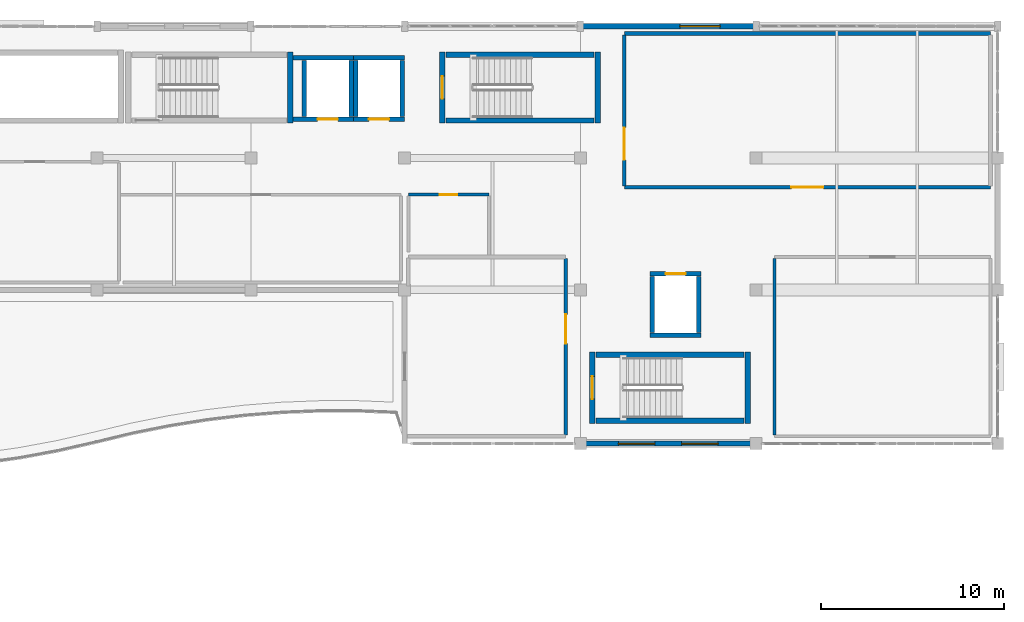
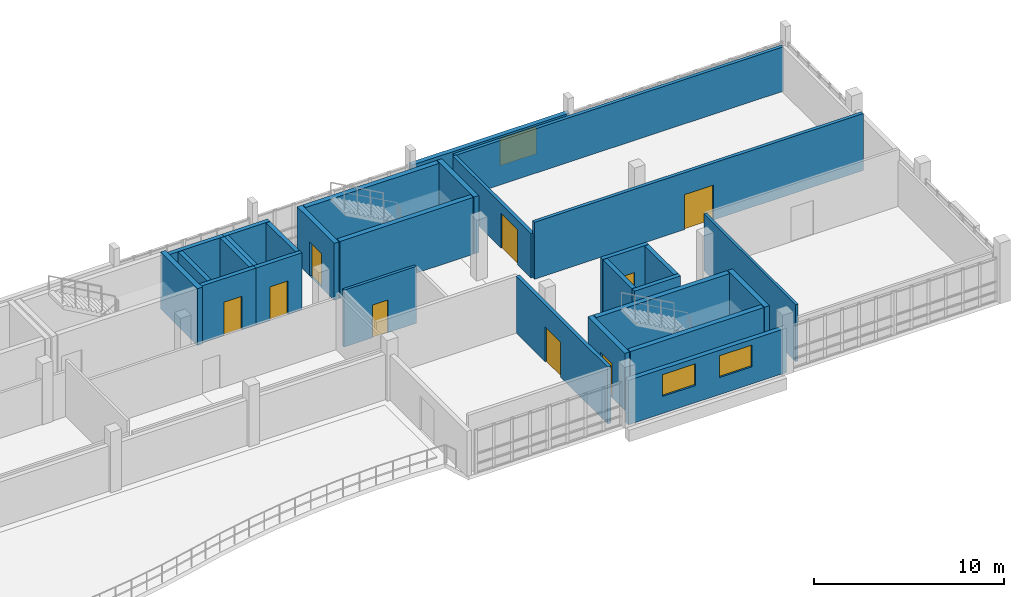
# One storey, part 21 of 25: 29 walls, 9 doors, 3 windows, 12 openings.
"""IFC4 building model written with IfcOpenShell, lengths in metres."""

from ifc_helpers import new_model, si_unit, direction, frame, frame_2d, origin, place, context, subcontext, project, spatial, rectangle, extrude, material, layer, layer_set, type_object, element, fill, save


model = new_model("IFC4")

# Units and contexts
model_context = context("Model", 3, precision=1e-05, world=origin(), true_north=direction((0.0, 1.0)))
body_context = subcontext(model_context, "Body", "Model", "MODEL_VIEW")
ifc_project = project(units=[si_unit("LENGTHUNIT", "METRE"), si_unit("AREAUNIT", "SQUARE_METRE"), si_unit("VOLUMEUNIT", "CUBIC_METRE"), si_unit("PLANEANGLEUNIT", "RADIAN"), si_unit("MASSUNIT", "GRAM", prefix="KILO")], contexts=[model_context])

# Site, building, storey
site_placement = place(None, origin())
site = spatial("IfcSite", under=ifc_project, at=site_placement, CompositionType="ELEMENT")
building_placement = place(site_placement, origin())
building = spatial("IfcBuilding", under=site, at=building_placement, Name="Kisaragi Civic Commons", CompositionType="ELEMENT")
storey_placement = place(building_placement, frame((0.0, 0.0, 13.5)))
storey = spatial("IfcBuildingStorey", under=building, at=storey_placement, Name="L03", CompositionType="ELEMENT", Elevation=13.5)

# Wall, opening, window
ifc_material_1 = material(Name="Insulated Tokoname terracotta cavity wall", Category="masonry")
ifc_layer_1 = layer(ifc_material_1, 0.278076171875, Name="Insulated Tokoname terracotta cavity wall", Category="masonry")
ifc_layer_set_1 = layer_set([ifc_layer_1], Name="Insulated Tokoname terracotta cavity wall")
wall_type_1 = type_object("IfcWallType", Name="EW-07", PredefinedType="STANDARD", material=ifc_layer_set_1)
wall_1_placement = place(storey_placement, frame((123.60009765625, 118.800048828125, 0.0), z_axis=(0.0, 0.0, 1.0), x_axis=(1.0, 0.0, 0.0)))
wall_1 = element("IfcWall", 1, at=wall_1_placement, inside=storey, type_object=wall_type_1, Name="V4 L03 exterior terracotta wall EW-07 375", PredefinedType="STANDARD", context=body_context, shape_type="SweptSolid", body=[
    extrude(rectangle(XDim=9.599853515625, YDim=0.278076171875, at=frame_2d((4.7998046875, 0.0))), origin(), (0.0, 0.0, 1.0), 2.85498046875),
])
opening_1_placement = place(wall_1_placement, frame((5.427978515625, 0.0, 0.85009765625)))
opening_1 = element("IfcOpeningElement", 2, at=opening_1_placement, cuts=wall_1, Name="Opening W-16", PredefinedType="OPENING", context=body_context, shape_type="SweptSolid", body=[
    extrude(rectangle(XDim=2.199951171875, YDim=1.75, at=frame_2d((1.10009765625, 0.875))), frame((0.0, 0.14892578125, 0.0), z_axis=(0.0, -1.0, 0.0), x_axis=(1.0, 0.0, 0.0)), (0.0, 0.0, 1.0), 0.298095703125),
])
ifc_material_2 = material(Name="Thermally broken aluminium frame and low-E argon double glazing", Category="aluminium")
window_type_1 = type_object("IfcWindowType", Name="W-16", PartitioningType="SINGLE_PANEL", PredefinedType="WINDOW", material=ifc_material_2)
window_1_placement = place(opening_1_placement, origin())
window_1 = element("IfcWindow", 3, at=window_1_placement, inside=storey, type_object=window_type_1, Name="V4 L03 window W-16 124", OverallHeight=1.75, OverallWidth=2.199951171875, PartitioningType="SINGLE_PANEL", PredefinedType="WINDOW", context=body_context, shape_type="SweptSolid", body=[
    extrude(rectangle(XDim=2.199951171875, YDim=1.75, at=frame_2d((1.10009765625, 0.875))), frame((0.0, 0.030029296875, 0.0), z_axis=(0.0, -1.0, 0.0), x_axis=(1.0, 0.0, 0.0)), (0.0, 0.0, 1.0), 0.06005859375),
])
fill(opening_1, window_1)

# Wall, openings, windows
wall_2_placement = place(storey_placement, frame((133.199951171875, 96.0, 0.0), z_axis=(0.0, 0.0, 1.0), x_axis=(-1.0, 0.0, 0.0)))
wall_2 = element("IfcWall", 4, at=wall_2_placement, inside=storey, type_object=wall_type_1, Name="V4 L03 exterior terracotta wall EW-07 377", PredefinedType="STANDARD", context=body_context, shape_type="SweptSolid", body=[
    extrude(rectangle(XDim=9.599853515625, YDim=0.278076171875, at=frame_2d((4.7998046875, 0.0))), origin(), (0.0, 0.0, 1.0), 2.85498046875),
])
opening_2_placement = place(wall_2_placement, frame((2.072021484375, 0.0, 1.10009765625)))
opening_2 = element("IfcOpeningElement", 5, at=opening_2_placement, cuts=wall_2, Name="Opening W-13", PredefinedType="OPENING", context=body_context, shape_type="SweptSolid", body=[
    extrude(rectangle(XDim=2.0, YDim=1.39990234375, at=frame_2d((1.0, 0.699951171875))), frame((0.0, 0.14892578125, 0.0), z_axis=(0.0, -1.0, 0.0), x_axis=(1.0, 0.0, 0.0)), (0.0, 0.0, 1.0), 0.298095703125),
])
opening_3_placement = place(wall_2_placement, frame((5.528076171875, 0.0, 1.10009765625)))
opening_3 = element("IfcOpeningElement", 6, at=opening_3_placement, cuts=wall_2, Name="Opening W-13", PredefinedType="OPENING", context=body_context, shape_type="SweptSolid", body=[
    extrude(rectangle(XDim=2.0, YDim=1.39990234375, at=frame_2d((1.0, 0.699951171875))), frame((0.0, 0.14892578125, 0.0), z_axis=(0.0, -1.0, 0.0), x_axis=(1.0, 0.0, 0.0)), (0.0, 0.0, 1.0), 0.298095703125),
])
window_type_2 = type_object("IfcWindowType", Name="W-13", PartitioningType="SINGLE_PANEL", PredefinedType="WINDOW", material=ifc_material_2)
window_2_placement = place(opening_2_placement, origin())
window_2 = element("IfcWindow", 7, at=window_2_placement, inside=storey, type_object=window_type_2, Name="V4 L03 window W-13 125", OverallHeight=1.39990234375, OverallWidth=2.0, PartitioningType="SINGLE_PANEL", PredefinedType="WINDOW", context=body_context, shape_type="SweptSolid", body=[
    extrude(rectangle(XDim=2.0, YDim=1.39990234375, at=frame_2d((1.0, 0.699951171875))), frame((0.0, 0.030029296875, 0.0), z_axis=(0.0, -1.0, 0.0), x_axis=(1.0, 0.0, 0.0)), (0.0, 0.0, 1.0), 0.06005859375),
])
fill(opening_2, window_2)
window_3_placement = place(opening_3_placement, origin())
window_3 = element("IfcWindow", 8, at=window_3_placement, inside=storey, type_object=window_type_2, Name="V4 L03 window W-13 126", OverallHeight=1.39990234375, OverallWidth=2.0, PartitioningType="SINGLE_PANEL", PredefinedType="WINDOW", context=body_context, shape_type="SweptSolid", body=[
    extrude(rectangle(XDim=2.0, YDim=1.39990234375, at=frame_2d((1.0, 0.699951171875))), frame((0.0, 0.030029296875, 0.0), z_axis=(0.0, -1.0, 0.0), x_axis=(1.0, 0.0, 0.0)), (0.0, 0.0, 1.0), 0.06005859375),
])
fill(opening_3, window_3)

# Wall
ifc_material_3 = material(Name="Fire-rated double gypsum board on steel studs with mineral wool", Category="steel")
ifc_layer_2 = layer(ifc_material_3, 0.199951171875, Name="Fire-rated double gypsum board on steel studs with mineral wool", Category="steel")
ifc_layer_set_2 = layer_set([ifc_layer_2], Name="Fire-rated double gypsum board on steel studs with mineral wool")
wall_type_2 = type_object("IfcWallType", Name="FW-01", PredefinedType="STANDARD", material=ifc_layer_set_2)
wall_3_placement = place(storey_placement, frame((126.0048828125, 118.39990234375, 0.0), z_axis=(0.0, 0.0, 1.0), x_axis=(1.0, 0.0, 0.0)))
element("IfcWall", 9, at=wall_3_placement, inside=storey, type_object=wall_type_2, Name="L03 W3-02 partition FW-01 330", PredefinedType="STANDARD", context=body_context, shape_type="SweptSolid", body=[
    extrude(rectangle(XDim=19.990234375, YDim=0.199951171875, at=frame_2d((9.9951171875, 0.0))), origin(), (0.0, 0.0, 1.0), 2.85498046875),
])

# Wall, opening, door
wall_4_placement = place(storey_placement, frame((145.9951171875, 110.0, 0.0), z_axis=(0.0, 0.0, 1.0), x_axis=(-1.0, 0.0, 0.0)))
wall_4 = element("IfcWall", 10, at=wall_4_placement, inside=storey, type_object=wall_type_2, Name="L03 W3-02 partition FW-01 332", PredefinedType="STANDARD", context=body_context, shape_type="SweptSolid", body=[
    extrude(rectangle(XDim=19.990234375, YDim=0.199951171875, at=frame_2d((9.9951171875, 0.0))), origin(), (0.0, 0.0, 1.0), 3.659912109375),
])
opening_4_placement = place(wall_4_placement, frame((9.1201171875, 0.0, 0.0)))
opening_4 = element("IfcOpeningElement", 11, at=opening_4_placement, cuts=wall_4, Name="Opening FD-01", PredefinedType="OPENING", context=body_context, shape_type="SweptSolid", body=[
    extrude(rectangle(XDim=1.75, YDim=2.25, at=frame_2d((0.875, 1.125))), frame((0.0, 0.10986328125, 0.0), z_axis=(0.0, -1.0, 0.0), x_axis=(1.0, 0.0, 0.0)), (0.0, 0.0, 1.0), 0.219970703125),
])
ifc_material_4 = material(Name="Insulated fire-rated pressed steel door assembly", Category="steel")
door_type_1 = type_object("IfcDoorType", Name="FD-01", OperationType="NOTDEFINED", PredefinedType="DOOR", material=ifc_material_4)
door_1_placement = place(opening_4_placement, origin())
door_1 = element("IfcDoor", 12, at=door_1_placement, inside=storey, type_object=door_type_1, Name="Smaller Multipurpose Hall door FD-01", OperationType="DOUBLE_DOOR_SINGLE_SWING", OverallHeight=2.25, OverallWidth=1.75, PredefinedType="DOOR", context=body_context, shape_type="SweptSolid", body=[
    extrude(rectangle(XDim=1.75, YDim=2.25, at=frame_2d((0.875, 1.125))), frame((0.0, 0.02490234375, 0.0), z_axis=(0.0, -1.0, 0.0), x_axis=(1.0, 0.0, 0.0)), (0.0, 0.0, 1.0), 0.050048828125),
])
fill(opening_4, door_1)

wall_5_placement = place(storey_placement, frame((126.0, 110.074951171875, 0.0), z_axis=(0.0, 0.0, 1.0), x_axis=(0.0, 1.0, 0.0)))
wall_5 = element("IfcWall", 13, at=wall_5_placement, inside=storey, type_object=wall_type_2, Name="L03 W3-02 partition FW-01 333", PredefinedType="STANDARD", context=body_context, shape_type="SweptSolid", body=[
    extrude(rectangle(XDim=8.25, YDim=0.199951171875, at=frame_2d((4.125, 0.0))), origin(), (0.0, 0.0, 1.0), 2.85498046875),
])
opening_5_placement = place(wall_5_placement, frame((1.429931640625, 0.0, 0.0)))
opening_5 = element("IfcOpeningElement", 14, at=opening_5_placement, cuts=wall_5, Name="Opening FD-01", PredefinedType="OPENING", context=body_context, shape_type="SweptSolid", body=[
    extrude(rectangle(XDim=1.75, YDim=2.25, at=frame_2d((0.875, 1.125))), frame((0.0, 0.10986328125, 0.0), z_axis=(0.0, -1.0, 0.0), x_axis=(1.0, 0.0, 0.0)), (0.0, 0.0, 1.0), 0.219970703125),
])
door_2_placement = place(opening_5_placement, origin())
door_2 = element("IfcDoor", 15, at=door_2_placement, inside=storey, type_object=door_type_1, Name="Smaller Multipurpose Hall door FD-01", OperationType="DOUBLE_DOOR_SINGLE_SWING", OverallHeight=2.25, OverallWidth=1.75, PredefinedType="DOOR", context=body_context, shape_type="SweptSolid", body=[
    extrude(rectangle(XDim=1.75, YDim=2.25, at=frame_2d((0.875, 1.125))), frame((0.0, 0.02490234375, 0.0), z_axis=(0.0, -1.0, 0.0), x_axis=(1.0, 0.0, 0.0)), (0.0, 0.0, 1.0), 0.050048828125),
])
fill(opening_5, door_2)

# Wall
ifc_material_5 = material(Name="Acoustic gypsum board on light-gauge steel studs", Category="steel")
ifc_layer_3 = layer(ifc_material_5, 0.14990234375, Name="Acoustic gypsum board on light-gauge steel studs", Category="steel")
ifc_layer_set_3 = layer_set([ifc_layer_3], Name="Acoustic gypsum board on light-gauge steel studs")
wall_type_3 = type_object("IfcWallType", Name="IW-01", PredefinedType="STANDARD", material=ifc_layer_set_3)
wall_6_placement = place(storey_placement, frame((134.199951171875, 96.47509765625, 0.0), z_axis=(0.0, 0.0, 1.0), x_axis=(0.0, 1.0, 0.0)))
element("IfcWall", 16, at=wall_6_placement, inside=storey, type_object=wall_type_3, Name="L03 W3-06 partition IW-01 347", PredefinedType="STANDARD", context=body_context, shape_type="SweptSolid", body=[
    extrude(rectangle(XDim=9.64990234375, YDim=0.14990234375, at=frame_2d((4.824951171875, 0.0))), origin(), (0.0, 0.0, 1.0), 3.659912109375),
])

# Wall, opening, door
ifc_material_6 = material(Name="Cementitious tile-backer board on galvanized steel studs", Category="steel")
ifc_layer_4 = layer(ifc_material_6, 0.16796875, Name="Cementitious tile-backer board on galvanized steel studs", Category="steel")
ifc_layer_set_4 = layer_set([ifc_layer_4], Name="Cementitious tile-backer board on galvanized steel studs")
wall_type_4 = type_object("IfcWallType", Name="IW-03", PredefinedType="STANDARD", material=ifc_layer_set_4)
wall_7_placement = place(storey_placement, frame((114.205078125, 109.60009765625, 0.0), z_axis=(0.0, 0.0, 1.0), x_axis=(1.0, 0.0, 0.0)))
wall_7 = element("IfcWall", 17, at=wall_7_placement, inside=storey, type_object=wall_type_4, Name="L03 W3-09 partition IW-03 351", PredefinedType="STANDARD", context=body_context, shape_type="SweptSolid", body=[
    extrude(rectangle(XDim=4.389892578125, YDim=0.16796875, at=frame_2d((2.19482421875, 0.0))), origin(), (0.0, 0.0, 1.0), 3.659912109375),
])
opening_6_placement = place(wall_7_placement, frame((1.719970703125, 0.0, 0.0)))
opening_6 = element("IfcOpeningElement", 18, at=opening_6_placement, cuts=wall_7, Name="Opening ID-01", PredefinedType="OPENING", context=body_context, shape_type="SweptSolid", body=[
    extrude(rectangle(XDim=0.949951171875, YDim=2.10009765625, at=frame_2d((0.47509765625, 1.050048828125))), frame((0.0, 0.093994140625, 0.0), z_axis=(0.0, -1.0, 0.0), x_axis=(1.0, 0.0, 0.0)), (0.0, 0.0, 1.0), 0.18798828125),
])
ifc_material_7 = material(Name="Solid-core Japanese ash acoustic flush timber leaf in steel frame", Category="steel")
door_type_2 = type_object("IfcDoorType", Name="ID-01", OperationType="NOTDEFINED", PredefinedType="DOOR", material=ifc_material_7)
door_3_placement = place(opening_6_placement, origin())
door_3 = element("IfcDoor", 19, at=door_3_placement, inside=storey, type_object=door_type_2, Name="L03 Accessible WC door ID-01", OperationType="SINGLE_SWING_LEFT", OverallHeight=2.10009765625, OverallWidth=0.949951171875, PredefinedType="DOOR", context=body_context, shape_type="SweptSolid", body=[
    extrude(rectangle(XDim=0.949951171875, YDim=2.10009765625, at=frame_2d((0.47509765625, 1.050048828125))), frame((0.0, 0.02490234375, 0.0), z_axis=(0.0, -1.0, 0.0), x_axis=(1.0, 0.0, 0.0)), (0.0, 0.0, 1.0), 0.050048828125),
])
fill(opening_6, door_3)

ifc_material_8 = material(Name="Slatted Mikawa hinoki acoustic timber partition", Category="wood")
ifc_layer_5 = layer(ifc_material_8, 0.2080078125, Name="Slatted Mikawa hinoki acoustic timber partition", Category="wood")
ifc_layer_set_5 = layer_set([ifc_layer_5], Name="Slatted Mikawa hinoki acoustic timber partition")
wall_type_5 = type_object("IfcWallType", Name="IW-05", PredefinedType="STANDARD", material=ifc_layer_set_5)
wall_8_placement = place(storey_placement, frame((122.800048828125, 106.125, 0.0), z_axis=(0.0, 0.0, 1.0), x_axis=(0.0, -1.0, 0.0)))
wall_8 = element("IfcWall", 20, at=wall_8_placement, inside=storey, type_object=wall_type_5, Name="L03 W3-05 partition IW-05 344", PredefinedType="STANDARD", context=body_context, shape_type="SweptSolid", body=[
    extrude(rectangle(XDim=9.64990234375, YDim=0.2080078125, at=frame_2d((4.824951171875, 0.0))), origin(), (0.0, 0.0, 1.0), 3.659912109375),
])
opening_7_placement = place(wall_8_placement, frame((3.05908203125, 0.0, 0.0)))
opening_7 = element("IfcOpeningElement", 21, at=opening_7_placement, cuts=wall_8, Name="Opening ID-05", PredefinedType="OPENING", context=body_context, shape_type="SweptSolid", body=[
    extrude(rectangle(XDim=1.60009765625, YDim=2.25, at=frame_2d((0.800048828125, 1.125))), frame((0.0, 0.114013671875, 0.0), z_axis=(0.0, -1.0, 0.0), x_axis=(1.0, 0.0, 0.0)), (0.0, 0.0, 1.0), 0.22802734375),
])
door_type_3 = type_object("IfcDoorType", Name="ID-05", OperationType="NOTDEFINED", PredefinedType="DOOR", material=ifc_material_7)
door_4_placement = place(opening_7_placement, origin())
door_4 = element("IfcDoor", 22, at=door_4_placement, inside=storey, type_object=door_type_3, Name="Acoustic Music Studio door ID-05", OperationType="DOUBLE_DOOR_SINGLE_SWING", OverallHeight=2.25, OverallWidth=1.60009765625, PredefinedType="DOOR", context=body_context, shape_type="SweptSolid", body=[
    extrude(rectangle(XDim=1.60009765625, YDim=2.25, at=frame_2d((0.800048828125, 1.125))), frame((0.0, 0.02490234375, 0.0), z_axis=(0.0, -1.0, 0.0), x_axis=(1.0, 0.0, 0.0)), (0.0, 0.0, 1.0), 0.050048828125),
])
fill(opening_7, door_4)

# Wall
ifc_material_9 = material(Name="Concrete Fc36", Category="concrete")
ifc_layer_6 = layer(ifc_material_9, 0.300048828125, Name="Concrete Fc36", Category="concrete")
ifc_layer_set_6 = layer_set([ifc_layer_6], Name="Concrete Fc36")
wall_type_6 = type_object("IfcWallType", Name="SW-01", PredefinedType="SHEAR", material=ifc_layer_set_6)
wall_9_placement = place(storey_placement, frame((107.75, 113.5, 0.0), z_axis=(0.0, 0.0, 1.0), x_axis=(0.0, 1.0, 0.0)))
element("IfcWall", 23, at=wall_9_placement, inside=storey, type_object=wall_type_6, Name="ST-L1 L03 far RC shear wall", PredefinedType="SHEAR", context=body_context, shape_type="SweptSolid", body=[
    extrude(rectangle(XDim=3.89990234375, YDim=0.300048828125, at=frame_2d((1.949951171875, 0.0))), origin(), (0.0, 0.0, 1.0), 3.659912109375),
])

# Wall, opening, door
wall_10_placement = place(storey_placement, frame((116.050048828125, 117.39990234375, 0.0), z_axis=(0.0, 0.0, 1.0), x_axis=(0.0, -1.0, 0.0)))
wall_10 = element("IfcWall", 24, at=wall_10_placement, inside=storey, type_object=wall_type_6, Name="ST-L2 L03 entry RC shear wall", PredefinedType="SHEAR", context=body_context, shape_type="SweptSolid", body=[
    extrude(rectangle(XDim=3.89990234375, YDim=0.300048828125, at=frame_2d((1.949951171875, 0.0))), origin(), (0.0, 0.0, 1.0), 3.659912109375),
])
opening_8_placement = place(wall_10_placement, frame((1.324951171875, 0.0, 0.0)))
opening_8 = element("IfcOpeningElement", 25, at=opening_8_placement, cuts=wall_10, Name="Opening SD-01", PredefinedType="OPENING", context=body_context, shape_type="SweptSolid", body=[
    extrude(rectangle(XDim=1.25, YDim=2.199951171875, at=frame_2d((0.625, 1.10009765625))), frame((0.0, 0.159912109375, 0.0), z_axis=(0.0, -1.0, 0.0), x_axis=(1.0, 0.0, 0.0)), (0.0, 0.0, 1.0), 0.320068359375),
])
door_type_4 = type_object("IfcDoorType", Name="SD-01", OperationType="NOTDEFINED", PredefinedType="DOOR", material=ifc_material_4)
door_5_placement = place(opening_8_placement, origin())
door_5 = element("IfcDoor", 26, at=door_5_placement, inside=storey, type_object=door_type_4, Name="ST-L2 L03 stair fire door 11", OperationType="SINGLE_SWING_LEFT", OverallHeight=2.199951171875, OverallWidth=1.25, PredefinedType="DOOR", context=body_context, shape_type="SweptSolid", body=[
    extrude(rectangle(XDim=1.25, YDim=2.199951171875, at=frame_2d((0.625, 1.10009765625))), frame((0.0, 0.02490234375, 0.0), z_axis=(0.0, -1.0, 0.0), x_axis=(1.0, 0.0, 0.0)), (0.0, 0.0, 1.0), 0.050048828125),
])
fill(opening_8, door_5)

# Walls
wall_11_placement = place(storey_placement, frame((116.25, 113.64990234375, 0.0), z_axis=(0.0, 0.0, 1.0), x_axis=(1.0, 0.0, 0.0)))
element("IfcWall", 27, at=wall_11_placement, inside=storey, type_object=wall_type_6, Name="ST-L2 L03 right RC shear wall", PredefinedType="SHEAR", context=body_context, shape_type="SweptSolid", body=[
    extrude(rectangle(XDim=8.10009765625, YDim=0.300048828125, at=frame_2d((4.050048828125, 0.0))), origin(), (0.0, 0.0, 1.0), 3.659912109375),
])
wall_12_placement = place(storey_placement, frame((124.550048828125, 113.5, 0.0), z_axis=(0.0, 0.0, 1.0), x_axis=(0.0, 1.0, 0.0)))
element("IfcWall", 28, at=wall_12_placement, inside=storey, type_object=wall_type_6, Name="ST-L2 L03 far RC shear wall", PredefinedType="SHEAR", context=body_context, shape_type="SweptSolid", body=[
    extrude(rectangle(XDim=3.89990234375, YDim=0.300048828125, at=frame_2d((1.949951171875, 0.0))), origin(), (0.0, 0.0, 1.0), 3.659912109375),
])
wall_13_placement = place(storey_placement, frame((124.35009765625, 117.25, 0.0), z_axis=(0.0, 0.0, 1.0), x_axis=(-1.0, 0.0, 0.0)))
element("IfcWall", 29, at=wall_13_placement, inside=storey, type_object=wall_type_6, Name="ST-L2 L03 left RC shear wall", PredefinedType="SHEAR", context=body_context, shape_type="SweptSolid", body=[
    extrude(rectangle(XDim=8.10009765625, YDim=0.300048828125, at=frame_2d((4.050048828125, 0.0))), origin(), (0.0, 0.0, 1.0), 3.659912109375),
])

# Wall, opening, door
wall_14_placement = place(storey_placement, frame((124.25, 101.0, 0.0), z_axis=(0.0, 0.0, 1.0), x_axis=(0.0, -1.0, 0.0)))
wall_14 = element("IfcWall", 30, at=wall_14_placement, inside=storey, type_object=wall_type_6, Name="ST-L3 L03 entry RC shear wall", PredefinedType="SHEAR", context=body_context, shape_type="SweptSolid", body=[
    extrude(rectangle(XDim=3.89990234375, YDim=0.300048828125, at=frame_2d((1.949951171875, 0.0))), origin(), (0.0, 0.0, 1.0), 3.659912109375),
])
opening_9_placement = place(wall_14_placement, frame((1.324951171875, 0.0, 0.0)))
opening_9 = element("IfcOpeningElement", 31, at=opening_9_placement, cuts=wall_14, Name="Opening SD-01", PredefinedType="OPENING", context=body_context, shape_type="SweptSolid", body=[
    extrude(rectangle(XDim=1.25, YDim=2.199951171875, at=frame_2d((0.625, 1.10009765625))), frame((0.0, 0.159912109375, 0.0), z_axis=(0.0, -1.0, 0.0), x_axis=(1.0, 0.0, 0.0)), (0.0, 0.0, 1.0), 0.320068359375),
])
door_6_placement = place(opening_9_placement, origin())
door_6 = element("IfcDoor", 32, at=door_6_placement, inside=storey, type_object=door_type_4, Name="ST-L3 L03 stair fire door 17", OperationType="SINGLE_SWING_LEFT", OverallHeight=2.199951171875, OverallWidth=1.25, PredefinedType="DOOR", context=body_context, shape_type="SweptSolid", body=[
    extrude(rectangle(XDim=1.25, YDim=2.199951171875, at=frame_2d((0.625, 1.10009765625))), frame((0.0, 0.02490234375, 0.0), z_axis=(0.0, -1.0, 0.0), x_axis=(1.0, 0.0, 0.0)), (0.0, 0.0, 1.0), 0.050048828125),
])
fill(opening_9, door_6)

# Walls
wall_15_placement = place(storey_placement, frame((124.449951171875, 97.25, 0.0), z_axis=(0.0, 0.0, 1.0), x_axis=(1.0, 0.0, 0.0)))
element("IfcWall", 33, at=wall_15_placement, inside=storey, type_object=wall_type_6, Name="ST-L3 L03 right RC shear wall", PredefinedType="SHEAR", context=body_context, shape_type="SweptSolid", body=[
    extrude(rectangle(XDim=8.10009765625, YDim=0.300048828125, at=frame_2d((4.050048828125, 0.0))), origin(), (0.0, 0.0, 1.0), 3.659912109375),
])
wall_16_placement = place(storey_placement, frame((132.75, 97.10009765625, 0.0), z_axis=(0.0, 0.0, 1.0), x_axis=(0.0, 1.0, 0.0)))
element("IfcWall", 34, at=wall_16_placement, inside=storey, type_object=wall_type_6, Name="ST-L3 L03 far RC shear wall", PredefinedType="SHEAR", context=body_context, shape_type="SweptSolid", body=[
    extrude(rectangle(XDim=3.89990234375, YDim=0.300048828125, at=frame_2d((1.949951171875, 0.0))), origin(), (0.0, 0.0, 1.0), 3.659912109375),
])
wall_17_placement = place(storey_placement, frame((132.550048828125, 100.85009765625, 0.0), z_axis=(0.0, 0.0, 1.0), x_axis=(-1.0, 0.0, 0.0)))
element("IfcWall", 35, at=wall_17_placement, inside=storey, type_object=wall_type_6, Name="ST-L3 L03 left RC shear wall", PredefinedType="SHEAR", context=body_context, shape_type="SweptSolid", body=[
    extrude(rectangle(XDim=8.10009765625, YDim=0.300048828125, at=frame_2d((4.050048828125, 0.0))), origin(), (0.0, 0.0, 1.0), 3.659912109375),
])

# Wall, opening, door
ifc_layer_7 = layer(ifc_material_9, 0.25, Name="Concrete Fc36", Category="concrete")
ifc_layer_set_7 = layer_set([ifc_layer_7], Name="Concrete Fc36")
wall_type_7 = type_object("IfcWallType", Name="SW-02", PredefinedType="SHEAR", material=ifc_layer_set_7)
wall_18_placement = place(storey_placement, frame((111.199951171875, 113.72509765625, 0.0), z_axis=(0.0, 0.0, 1.0), x_axis=(-1.0, 0.0, 0.0)))
wall_18 = element("IfcWall", 36, at=wall_18_placement, inside=storey, type_object=wall_type_7, Name="EL-L1 L03 south lift shaft wall", PredefinedType="SHEAR", context=body_context, shape_type="SweptSolid", body=[
    extrude(rectangle(XDim=3.300048828125, YDim=0.25, at=frame_2d((1.64990234375, 0.0))), origin(), (0.0, 0.0, 1.0), 3.659912109375),
])
opening_10_placement = place(wall_18_placement, frame((0.85009765625, 0.0, 0.0)))
opening_10 = element("IfcOpeningElement", 37, at=opening_10_placement, cuts=wall_18, Name="Opening LD-01", PredefinedType="OPENING", context=body_context, shape_type="SweptSolid", body=[
    extrude(rectangle(XDim=1.10009765625, YDim=2.14990234375, at=frame_2d((0.550048828125, 1.074951171875))), frame((0.0, 0.135009765625, 0.0), z_axis=(0.0, -1.0, 0.0), x_axis=(1.0, 0.0, 0.0)), (0.0, 0.0, 1.0), 0.27001953125),
])
ifc_material_10 = material(Name="Brushed stainless steel bi-parting landing door", Category="steel")
door_type_5 = type_object("IfcDoorType", Name="LD-01", OperationType="NOTDEFINED", PredefinedType="DOOR", material=ifc_material_10)
door_7_placement = place(opening_10_placement, origin())
door_7 = element("IfcDoor", 38, at=door_7_placement, inside=storey, type_object=door_type_5, Name="EL-L1 L03 sliding lift landing door", OperationType="DOUBLE_DOOR_SLIDING", OverallHeight=2.14990234375, OverallWidth=1.10009765625, PredefinedType="DOOR", context=body_context, shape_type="SweptSolid", body=[
    extrude(rectangle(XDim=1.10009765625, YDim=2.14990234375, at=frame_2d((0.550048828125, 1.074951171875))), frame((0.0, 0.02490234375, 0.0), z_axis=(0.0, -1.0, 0.0), x_axis=(1.0, 0.0, 0.0)), (0.0, 0.0, 1.0), 0.050048828125),
])
fill(opening_10, door_7)

# Walls
wall_19_placement = place(storey_placement, frame((108.52490234375, 113.8701171875, 0.0), z_axis=(0.0, 0.0, 1.0), x_axis=(0.0, 1.0, 0.0)))
element("IfcWall", 39, at=wall_19_placement, inside=storey, type_object=wall_type_7, Name="EL-L1 L03 west lift shaft wall", PredefinedType="SHEAR", context=body_context, shape_type="SweptSolid", body=[
    extrude(rectangle(XDim=3.059814453125, YDim=0.25, at=frame_2d((1.52978515625, 0.0))), origin(), (0.0, 0.0, 1.0), 3.659912109375),
])
wall_20_placement = place(storey_placement, frame((107.89990234375, 117.074951171875, 0.0), z_axis=(0.0, 0.0, 1.0), x_axis=(1.0, 0.0, 0.0)))
element("IfcWall", 40, at=wall_20_placement, inside=storey, type_object=wall_type_7, Name="EL-L1 L03 north lift shaft wall", PredefinedType="SHEAR", context=body_context, shape_type="SweptSolid", body=[
    extrude(rectangle(XDim=3.300048828125, YDim=0.25, at=frame_2d((1.64990234375, 0.0))), origin(), (0.0, 0.0, 1.0), 3.659912109375),
])
wall_21_placement = place(storey_placement, frame((111.074951171875, 116.929931640625, 0.0), z_axis=(0.0, 0.0, 1.0), x_axis=(0.0, -1.0, 0.0)))
element("IfcWall", 41, at=wall_21_placement, inside=storey, type_object=wall_type_7, Name="EL-L1 L03 east lift shaft wall", PredefinedType="SHEAR", context=body_context, shape_type="SweptSolid", body=[
    extrude(rectangle(XDim=3.059814453125, YDim=0.25, at=frame_2d((1.52978515625, 0.0))), origin(), (0.0, 0.0, 1.0), 3.659912109375),
])

# Wall, opening, door
wall_22_placement = place(storey_placement, frame((114.0, 113.72509765625, 0.0), z_axis=(0.0, 0.0, 1.0), x_axis=(-1.0, 0.0, 0.0)))
wall_22 = element("IfcWall", 42, at=wall_22_placement, inside=storey, type_object=wall_type_7, Name="EL-L2 L03 south lift shaft wall", PredefinedType="SHEAR", context=body_context, shape_type="SweptSolid", body=[
    extrude(rectangle(XDim=2.800048828125, YDim=0.25, at=frame_2d((1.39990234375, 0.0))), origin(), (0.0, 0.0, 1.0), 3.659912109375),
])
opening_11_placement = place(wall_22_placement, frame((0.85009765625, 0.0, 0.0)))
opening_11 = element("IfcOpeningElement", 43, at=opening_11_placement, cuts=wall_22, Name="Opening LD-01", PredefinedType="OPENING", context=body_context, shape_type="SweptSolid", body=[
    extrude(rectangle(XDim=1.10009765625, YDim=2.14990234375, at=frame_2d((0.550048828125, 1.074951171875))), frame((0.0, 0.135009765625, 0.0), z_axis=(0.0, -1.0, 0.0), x_axis=(1.0, 0.0, 0.0)), (0.0, 0.0, 1.0), 0.27001953125),
])
door_8_placement = place(opening_11_placement, origin())
door_8 = element("IfcDoor", 44, at=door_8_placement, inside=storey, type_object=door_type_5, Name="EL-L2 L03 sliding lift landing door", OperationType="DOUBLE_DOOR_SLIDING", OverallHeight=2.14990234375, OverallWidth=1.10009765625, PredefinedType="DOOR", context=body_context, shape_type="SweptSolid", body=[
    extrude(rectangle(XDim=1.10009765625, YDim=2.14990234375, at=frame_2d((0.550048828125, 1.074951171875))), frame((0.0, 0.02490234375, 0.0), z_axis=(0.0, -1.0, 0.0), x_axis=(1.0, 0.0, 0.0)), (0.0, 0.0, 1.0), 0.050048828125),
])
fill(opening_11, door_8)

# Walls
wall_23_placement = place(storey_placement, frame((111.324951171875, 113.8701171875, 0.0), z_axis=(0.0, 0.0, 1.0), x_axis=(0.0, 1.0, 0.0)))
element("IfcWall", 45, at=wall_23_placement, inside=storey, type_object=wall_type_7, Name="EL-L2 L03 west lift shaft wall", PredefinedType="SHEAR", context=body_context, shape_type="SweptSolid", body=[
    extrude(rectangle(XDim=3.059814453125, YDim=0.25, at=frame_2d((1.52978515625, 0.0))), origin(), (0.0, 0.0, 1.0), 3.659912109375),
])
wall_24_placement = place(storey_placement, frame((111.199951171875, 117.074951171875, 0.0), z_axis=(0.0, 0.0, 1.0), x_axis=(1.0, 0.0, 0.0)))
element("IfcWall", 46, at=wall_24_placement, inside=storey, type_object=wall_type_7, Name="EL-L2 L03 north lift shaft wall", PredefinedType="SHEAR", context=body_context, shape_type="SweptSolid", body=[
    extrude(rectangle(XDim=2.800048828125, YDim=0.25, at=frame_2d((1.39990234375, 0.0))), origin(), (0.0, 0.0, 1.0), 3.659912109375),
])
wall_25_placement = place(storey_placement, frame((113.875, 116.929931640625, 0.0), z_axis=(0.0, 0.0, 1.0), x_axis=(0.0, -1.0, 0.0)))
element("IfcWall", 47, at=wall_25_placement, inside=storey, type_object=wall_type_7, Name="EL-L2 L03 east lift shaft wall", PredefinedType="SHEAR", context=body_context, shape_type="SweptSolid", body=[
    extrude(rectangle(XDim=3.059814453125, YDim=0.25, at=frame_2d((1.52978515625, 0.0))), origin(), (0.0, 0.0, 1.0), 3.659912109375),
])
wall_26_placement = place(storey_placement, frame((130.199951171875, 101.925048828125, 0.0), z_axis=(0.0, 0.0, 1.0), x_axis=(-1.0, 0.0, 0.0)))
element("IfcWall", 48, at=wall_26_placement, inside=storey, type_object=wall_type_7, Name="EL-L3 L03 south lift shaft wall", PredefinedType="SHEAR", context=body_context, shape_type="SweptSolid", body=[
    extrude(rectangle(XDim=2.800048828125, YDim=0.25, at=frame_2d((1.39990234375, 0.0))), origin(), (0.0, 0.0, 1.0), 3.659912109375),
])
wall_27_placement = place(storey_placement, frame((127.52490234375, 102.070068359375, 0.0), z_axis=(0.0, 0.0, 1.0), x_axis=(0.0, 1.0, 0.0)))
element("IfcWall", 49, at=wall_27_placement, inside=storey, type_object=wall_type_7, Name="EL-L3 L03 west lift shaft wall", PredefinedType="SHEAR", context=body_context, shape_type="SweptSolid", body=[
    extrude(rectangle(XDim=3.059814453125, YDim=0.25, at=frame_2d((1.52978515625, 0.0))), origin(), (0.0, 0.0, 1.0), 3.659912109375),
])

# Wall, opening, door
wall_28_placement = place(storey_placement, frame((127.39990234375, 105.27490234375, 0.0), z_axis=(0.0, 0.0, 1.0), x_axis=(1.0, 0.0, 0.0)))
wall_28 = element("IfcWall", 50, at=wall_28_placement, inside=storey, type_object=wall_type_7, Name="EL-L3 L03 north lift shaft wall", PredefinedType="SHEAR", context=body_context, shape_type="SweptSolid", body=[
    extrude(rectangle(XDim=2.800048828125, YDim=0.25, at=frame_2d((1.39990234375, 0.0))), origin(), (0.0, 0.0, 1.0), 3.659912109375),
])
opening_12_placement = place(wall_28_placement, frame((0.85009765625, 0.0, 0.0)))
opening_12 = element("IfcOpeningElement", 51, at=opening_12_placement, cuts=wall_28, Name="Opening LD-01", PredefinedType="OPENING", context=body_context, shape_type="SweptSolid", body=[
    extrude(rectangle(XDim=1.10009765625, YDim=2.14990234375, at=frame_2d((0.550048828125, 1.074951171875))), frame((0.0, 0.135009765625, 0.0), z_axis=(0.0, -1.0, 0.0), x_axis=(1.0, 0.0, 0.0)), (0.0, 0.0, 1.0), 0.27001953125),
])
door_9_placement = place(opening_12_placement, origin())
door_9 = element("IfcDoor", 52, at=door_9_placement, inside=storey, type_object=door_type_5, Name="EL-L3 L03 sliding lift landing door", OperationType="DOUBLE_DOOR_SLIDING", OverallHeight=2.14990234375, OverallWidth=1.10009765625, PredefinedType="DOOR", context=body_context, shape_type="SweptSolid", body=[
    extrude(rectangle(XDim=1.10009765625, YDim=2.14990234375, at=frame_2d((0.550048828125, 1.074951171875))), frame((0.0, 0.02490234375, 0.0), z_axis=(0.0, -1.0, 0.0), x_axis=(1.0, 0.0, 0.0)), (0.0, 0.0, 1.0), 0.050048828125),
])
fill(opening_12, door_9)

# Wall
wall_29_placement = place(storey_placement, frame((130.074951171875, 105.1298828125, 0.0), z_axis=(0.0, 0.0, 1.0), x_axis=(0.0, -1.0, 0.0)))
element("IfcWall", 53, at=wall_29_placement, inside=storey, type_object=wall_type_7, Name="EL-L3 L03 east lift shaft wall", PredefinedType="SHEAR", context=body_context, shape_type="SweptSolid", body=[
    extrude(rectangle(XDim=3.059814453125, YDim=0.25, at=frame_2d((1.52978515625, 0.0))), origin(), (0.0, 0.0, 1.0), 3.659912109375),
])

save(model, "model.ifc")
